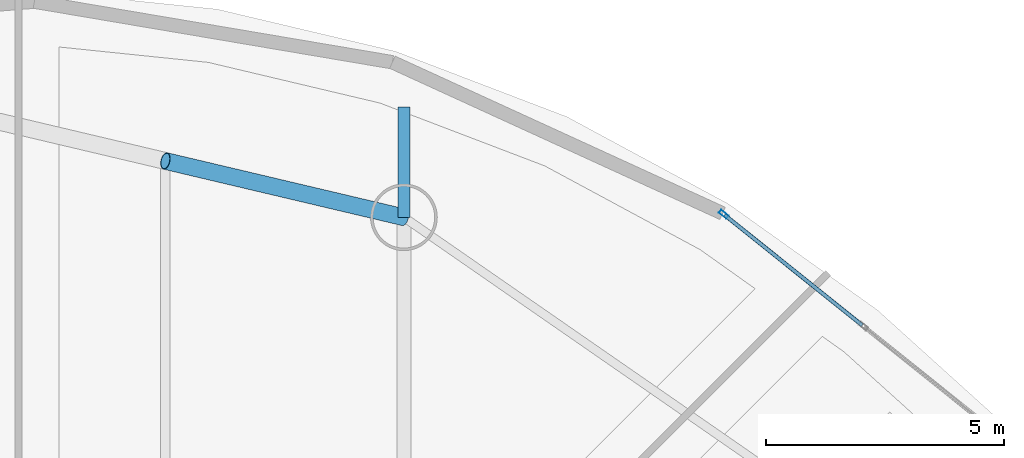
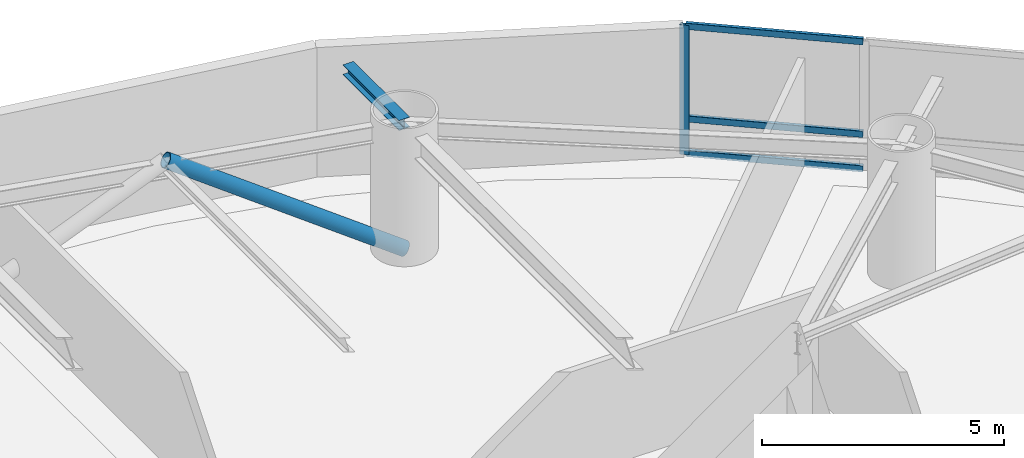
# One storey, part 12 of 21: 5 members, 1 beam, 1 element without a shape of its own.
"""IFC4 building model written with IfcOpenShell, lengths in metres."""

from ifc_helpers import new_model, si_unit, direction, frame, origin, origin_2d, place, context, subcontext, project, spatial, hollow_rectangle, hollow_circle, i_section, extrude, material, layer, layer_set, material_profile, profile_set, type_object, element, aggregate, save


model = new_model("IFC4")

# Units and contexts
model_context = context("Model", 3, precision=1e-05, world=origin(), true_north=direction((0.0, 1.0)))
body_context = subcontext(model_context, "Body", "Model", "MODEL_VIEW")
ifc_project = project(units=[si_unit("LENGTHUNIT", "METRE"), si_unit("AREAUNIT", "SQUARE_METRE"), si_unit("VOLUMEUNIT", "CUBIC_METRE"), si_unit("PLANEANGLEUNIT", "RADIAN"), si_unit("MASSUNIT", "GRAM", prefix="KILO")], contexts=[model_context])

# Site, building, storey
site_placement = place(None, origin())
site = spatial("IfcSite", under=ifc_project, at=site_placement, CompositionType="ELEMENT")
building_placement = place(site_placement, origin())
building = spatial("IfcBuilding", under=site, at=building_placement, Name="Bramvorn Convention Spire", CompositionType="ELEMENT")
storey_placement = place(building_placement, frame((0.0, 0.0, 102.800048828125)))
storey = spatial("IfcBuildingStorey", under=building, at=storey_placement, Name="L24", CompositionType="ELEMENT", Elevation=102.800048828125)

# Beam
ifc_material_1 = material(Name="Steel CSA G40.21 Grade 350 (350W)", Category="steel")
ifc_material_profile_1 = material_profile(ifc_material_1, i_section(OverallWidth=0.25390625, OverallDepth=0.2529296875, WebThickness=0.008544921875, FlangeThickness=0.01416015625, FilletRadius=0.011962890625, at=origin_2d()))
ifc_profile_set_1 = profile_set([ifc_material_profile_1], Name="Steel CSA G40.21 Grade 350 (350W) - W250X73")
beam_type = type_object("IfcBeamType", Name="BM-W250X73", PredefinedType="BEAM", material=ifc_profile_set_1)
beam_placement = place(storey_placement, frame((46.082763671875, 44.154052734375, 3.133544921875), z_axis=(0.0, 1.0, 0.0), x_axis=(-1.0, 0.0, 0.0)))
element("IfcBeam", 1, at=beam_placement, inside=storey, type_object=beam_type, Name="L24 slab-edge cantilever tip beam MC05", PredefinedType="BEAM", context=body_context, shape_type="SweptSolid", body=[
    extrude(i_section(OverallWidth=0.25390625, OverallDepth=0.2529296875, WebThickness=0.008544921875, FlangeThickness=0.01416015625, FilletRadius=0.011962890625, at=origin_2d()), origin(), (0.0, 0.0, 1.0), 2.317626953125),
])

# Curtain wall, members
ifc_material_2 = material(Name="Anodised Bronze Unitised Curtain Wall", Category="aluminium")
ifc_layer = layer(ifc_material_2, 0.179931640625)
ifc_layer_set = layer_set([ifc_layer], Name="Anodised Bronze Unitised Curtain Wall - CW-HTL-FRIT")
curtain_wall_type = type_object("IfcCurtainWallType", Name="CW-HTL-FRIT", PredefinedType="USERDEFINED", material=ifc_layer_set)
curtain_wall_placement = place(storey_placement, origin())
curtain_wall = element("IfcCurtainWall", 2, at=curtain_wall_placement, inside=storey, type_object=curtain_wall_type, Name="L24 fritted glass curtain wall 05", ObjectType="UNITISED CURTAIN WALL", PredefinedType="USERDEFINED")
ifc_material_3 = material(Name="Anodised Bronze Aluminium 6063-T6", Category="aluminium")
ifc_material_profile_2 = material_profile(ifc_material_3, hollow_rectangle(XDim=0.080078125, YDim=0.199951171875, WallThickness=0.00390625, InnerFilletRadius=0.0009765625, OuterFilletRadius=0.00390625, at=origin_2d()))
ifc_profile_set_2 = profile_set([ifc_material_profile_2], Name="Anodised Bronze Aluminium 6063-T6 - CWM80X200")
member_type_1 = type_object("IfcMemberType", Name="CW-MUL-180", PredefinedType="MULLION", material=ifc_profile_set_2)
member_1_placement = place(storey_placement, frame((52.790771484375, 44.217529296875, 0.0), z_axis=(0.0, 0.0, 1.0), x_axis=(0.625245906892, 0.78042780314, 0.0)))
member_1 = element("IfcMember", 3, at=member_1_placement, type_object=member_type_1, Name="CW2 mullion 1", PredefinedType="MULLION", context=body_context, shape_type="SweptSolid", body=[
    extrude(hollow_rectangle(XDim=0.080078125, YDim=0.199951171875, WallThickness=0.00390625, InnerFilletRadius=0.0009765625, OuterFilletRadius=0.00390625, at=origin_2d()), origin(), (0.0, 0.0, 1.0), 3.260009765625),
])
ifc_material_profile_3 = material_profile(ifc_material_3, hollow_rectangle(XDim=0.080078125, YDim=0.159912109375, WallThickness=0.00390625, InnerFilletRadius=0.0009765625, OuterFilletRadius=0.00390625, at=origin_2d()))
ifc_profile_set_3 = profile_set([ifc_material_profile_3], Name="Anodised Bronze Aluminium 6063-T6 - CWT80X160")
member_type_2 = type_object("IfcMemberType", Name="CW-TRN-150", PredefinedType="USERDEFINED", material=ifc_profile_set_3)
member_2_placement = place(storey_placement, frame((52.814208984375, 44.198974609375, 0.030029296875), z_axis=(0.780417320396, -0.625258991159, 0.0), x_axis=(0.625258991159, 0.780417320396, 0.0)))
member_2 = element("IfcMember", 4, at=member_2_placement, type_object=member_type_2, Name="CW2 transom 1.1", ObjectType="TRANSOM", PredefinedType="USERDEFINED", context=body_context, shape_type="SweptSolid", body=[
    extrude(hollow_rectangle(XDim=0.080078125, YDim=0.159912109375, WallThickness=0.00390625, InnerFilletRadius=0.0009765625, OuterFilletRadius=0.00390625, at=origin_2d()), origin(), (0.0, 0.0, 1.0), 3.694580078125),
])
member_3_placement = place(storey_placement, frame((52.814208984375, 44.198974609375, 0.89990234375), z_axis=(0.780417320396, -0.625258991159, 0.0), x_axis=(0.625258991159, 0.780417320396, 0.0)))
member_3 = element("IfcMember", 5, at=member_3_placement, type_object=member_type_2, Name="CW2 transom 1.2", ObjectType="TRANSOM", PredefinedType="USERDEFINED", context=body_context, shape_type="SweptSolid", body=[
    extrude(hollow_rectangle(XDim=0.080078125, YDim=0.159912109375, WallThickness=0.00390625, InnerFilletRadius=0.0009765625, OuterFilletRadius=0.00390625, at=origin_2d()), origin(), (0.0, 0.0, 1.0), 3.694580078125),
])
member_4_placement = place(storey_placement, frame((52.814208984375, 44.198974609375, 3.22998046875), z_axis=(0.780417320396, -0.625258991159, 0.0), x_axis=(0.625258991159, 0.780417320396, 0.0)))
member_4 = element("IfcMember", 6, at=member_4_placement, type_object=member_type_2, Name="CW2 transom 1.3", ObjectType="TRANSOM", PredefinedType="USERDEFINED", context=body_context, shape_type="SweptSolid", body=[
    extrude(hollow_rectangle(XDim=0.080078125, YDim=0.159912109375, WallThickness=0.00390625, InnerFilletRadius=0.0009765625, OuterFilletRadius=0.00390625, at=origin_2d()), origin(), (0.0, 0.0, 1.0), 3.694580078125),
])
aggregate(curtain_wall, [member_1, member_2, member_3, member_4])

# Member
ifc_material_profile_4 = material_profile(ifc_material_1, hollow_circle(Radius=0.177734375, WallThickness=0.015869140625, at=origin_2d()))
ifc_profile_set_4 = profile_set([ifc_material_profile_4], Name="Steel CSA G40.21 Grade 350 (350W) - CHS356X16")
member_type_3 = type_object("IfcMemberType", Name="MBR-CHS356X16", PredefinedType="BRACE", material=ifc_profile_set_4)
member_5_placement = place(storey_placement, frame((46.082763671875, 44.154052734375, 0.0), z_axis=(-0.82191146009, 0.194108103193, 0.53552179792), x_axis=(-0.229843911572, -0.97322750491, 0.0)))
element("IfcMember", 7, at=member_5_placement, inside=storey, type_object=member_type_3, Name="L24 perimeter Gothic lancet brace 5A", PredefinedType="BRACE", context=body_context, shape_type="SweptSolid", body=[
    extrude(hollow_circle(Radius=0.177734375, WallThickness=0.015869140625, at=origin_2d()), origin(), (0.0, 0.0, 1.0), 6.087646484375),
])

save(model, "model.ifc")
